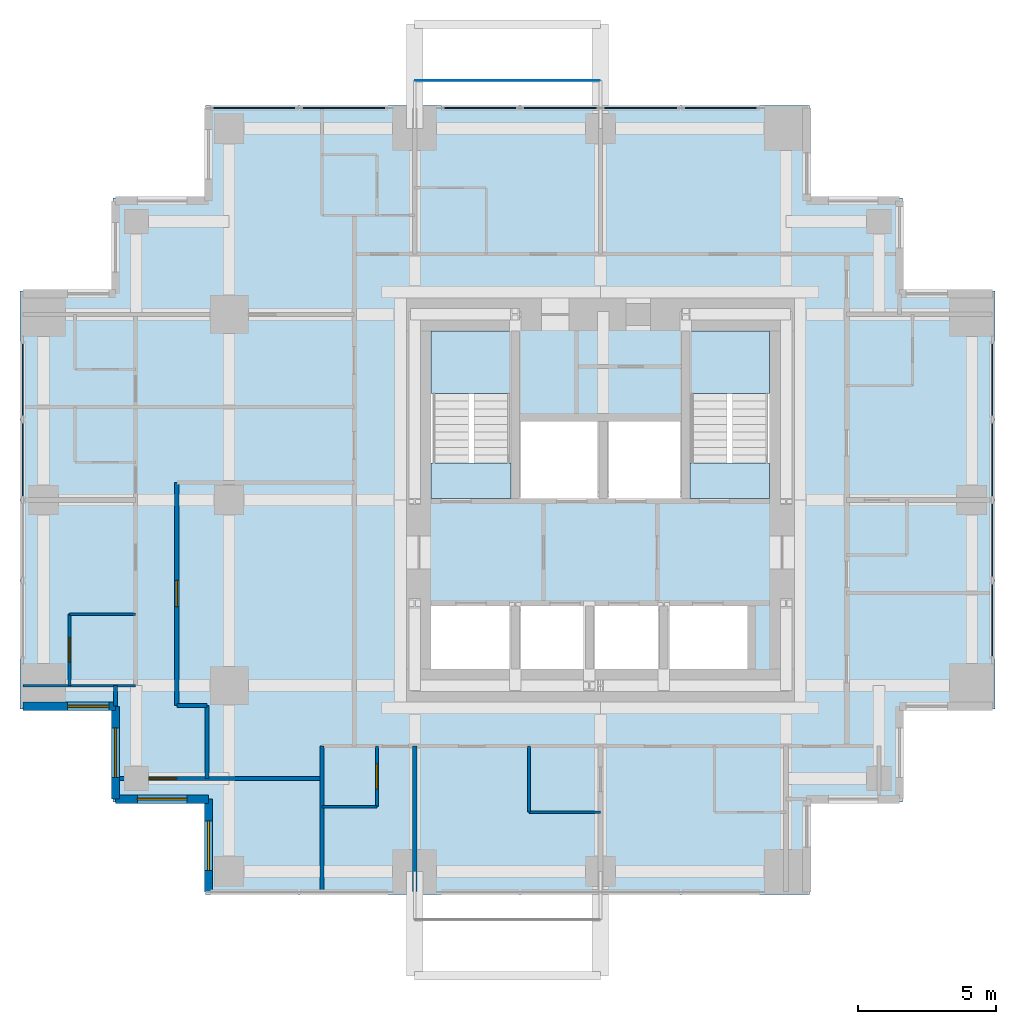
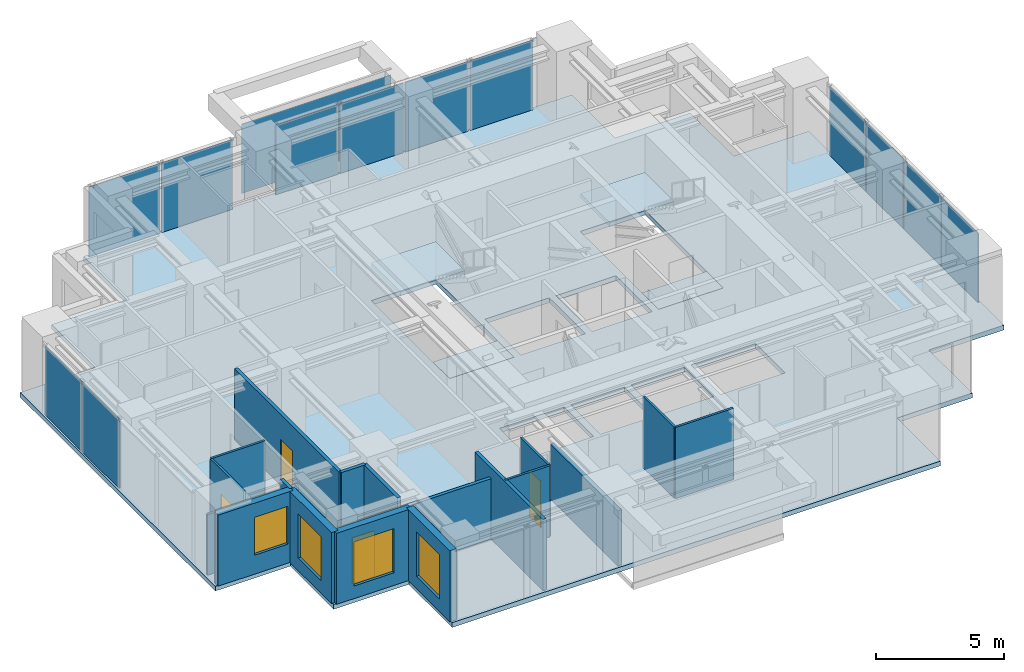
# One storey, part 3 of 8: 18 walls, 13 plates, 5 slabs, 4 doors, 4 windows, 8 openings, 6 elements without a shape of their own.
"""IFC4 building model written with IfcOpenShell, lengths in metres."""

from ifc_helpers import new_model, si_unit, direction, frame, frame_2d, origin, origin_2d, place, context, subcontext, project, spatial, polyline, rectangle, outline, extrude, material, layer, layer_set, type_object, element, fill, aggregate, save


model = new_model("IFC4")

# Units and contexts
model_context = context("Model", 3, precision=1e-05, world=origin(), true_north=direction((0.0, 1.0)))
body_context = subcontext(model_context, "Body", "Model", "MODEL_VIEW")
ifc_project = project(units=[si_unit("LENGTHUNIT", "METRE"), si_unit("AREAUNIT", "SQUARE_METRE"), si_unit("VOLUMEUNIT", "CUBIC_METRE"), si_unit("PLANEANGLEUNIT", "RADIAN"), si_unit("MASSUNIT", "GRAM", prefix="KILO")], contexts=[model_context])

# Site, building, storey
site_placement = place(None, origin())
site = spatial("IfcSite", under=ifc_project, at=site_placement, CompositionType="ELEMENT")
building_placement = place(site_placement, origin())
building = spatial("IfcBuilding", under=site, at=building_placement, Name="Nyansa Garden Tower", CompositionType="ELEMENT")
storey_placement = place(building_placement, frame((0.0, 0.0, 207.89990234375)))
storey = spatial("IfcBuildingStorey", under=building, at=storey_placement, Name="L56", CompositionType="ELEMENT", Elevation=207.89990234375)

# Curtain wall, plates
ifc_material_1 = material(Name="Black anodised aluminium, dark tinted double glazing", Category="aluminium")
curtain_wall_type = type_object("IfcCurtainWallType", Name="Inner skin curtain wall ISW-D", PredefinedType="USERDEFINED", material=ifc_material_1)
curtain_wall_1_placement = place(storey_placement, origin())
curtain_wall_1 = element("IfcCurtainWall", 1, at=curtain_wall_1_placement, inside=storey, type_object=curtain_wall_type, Name="Inner skin curtain wall L56 E", ObjectType="UNITISED CURTAIN WALL", PredefinedType="USERDEFINED")
ifc_material_2 = material(Name="Dark tinted laminated double glazing", Category="glass")
ifc_layer_1 = layer(ifc_material_2, 0.0439453125)
ifc_layer_set_1 = layer_set([ifc_layer_1], Name="Dark tinted vision panel VP-D")
plate_type_1 = type_object("IfcPlateType", Name="Dark tinted vision panel VP-D", PredefinedType="CURTAIN_PANEL", material=ifc_layer_set_1)
plate_1_placement = place(storey_placement, frame((34.5, 15.8818359375, 0.0), z_axis=(0.0, 0.0, 1.0), x_axis=(0.0, 1.0, 0.0)))
plate_1 = element("IfcPlate", 2, at=plate_1_placement, type_object=plate_type_1, Name="ISW-D panel 1", PredefinedType="CURTAIN_PANEL", context=body_context, shape_type="SweptSolid", body=[
    extrude(rectangle(XDim=2.81884765625, YDim=0.0439453125, at=origin_2d()), origin(), (0.0, 0.0, 1.0), 3.304931640625),
])
plate_2_placement = place(storey_placement, frame((34.5, 18.7880859375, 0.0), z_axis=(0.0, 0.0, 1.0), x_axis=(0.0, 1.0, 0.0)))
plate_2 = element("IfcPlate", 3, at=plate_2_placement, type_object=plate_type_1, Name="ISW-D panel 2", PredefinedType="CURTAIN_PANEL", context=body_context, shape_type="SweptSolid", body=[
    extrude(rectangle(XDim=2.853759765625, YDim=0.0439453125, at=origin_2d()), origin(), (0.0, 0.0, 1.0), 3.304931640625),
])
plate_3_placement = place(storey_placement, frame((34.5, 21.7119140625, 0.0), z_axis=(0.0, 0.0, 1.0), x_axis=(0.0, 1.0, 0.0)))
plate_3 = element("IfcPlate", 4, at=plate_3_placement, type_object=plate_type_1, Name="ISW-D panel 3", PredefinedType="CURTAIN_PANEL", context=body_context, shape_type="SweptSolid", body=[
    extrude(rectangle(XDim=2.853759765625, YDim=0.0439453125, at=origin_2d()), origin(), (0.0, 0.0, 1.0), 3.304931640625),
])
plate_4_placement = place(storey_placement, frame((34.5, 24.6181640625, 0.0), z_axis=(0.0, 0.0, 1.0), x_axis=(0.0, 1.0, 0.0)))
plate_4 = element("IfcPlate", 5, at=plate_4_placement, type_object=plate_type_1, Name="ISW-D panel 4", PredefinedType="CURTAIN_PANEL", context=body_context, shape_type="SweptSolid", body=[
    extrude(rectangle(XDim=2.81884765625, YDim=0.0439453125, at=origin_2d()), origin(), (0.0, 0.0, 1.0), 3.304931640625),
])
aggregate(curtain_wall_1, [plate_1, plate_2, plate_3, plate_4])

curtain_wall_2_placement = place(storey_placement, origin())
curtain_wall_2 = element("IfcCurtainWall", 6, at=curtain_wall_2_placement, inside=storey, type_object=curtain_wall_type, Name="Inner skin curtain wall L56 N", ObjectType="UNITISED CURTAIN WALL", PredefinedType="USERDEFINED")
plate_5_placement = place(storey_placement, frame((24.6181640625, 34.5, 0.0), z_axis=(0.0, 0.0, 1.0), x_axis=(-1.0, 0.0, 0.0)))
plate_5 = element("IfcPlate", 7, at=plate_5_placement, type_object=plate_type_1, Name="ISW-D panel 1", PredefinedType="CURTAIN_PANEL", context=body_context, shape_type="SweptSolid", body=[
    extrude(rectangle(XDim=2.81884765625, YDim=0.0439453125, at=origin_2d()), origin(), (0.0, 0.0, 1.0), 3.304931640625),
])
plate_6_placement = place(storey_placement, frame((21.7119140625, 34.5, 0.0), z_axis=(0.0, 0.0, 1.0), x_axis=(-1.0, 0.0, 0.0)))
plate_6 = element("IfcPlate", 8, at=plate_6_placement, type_object=plate_type_1, Name="ISW-D panel 2", PredefinedType="CURTAIN_PANEL", context=body_context, shape_type="SweptSolid", body=[
    extrude(rectangle(XDim=2.853759765625, YDim=0.0439453125, at=origin_2d()), origin(), (0.0, 0.0, 1.0), 3.304931640625),
])
plate_7_placement = place(storey_placement, frame((18.7880859375, 34.5, 0.0), z_axis=(0.0, 0.0, 1.0), x_axis=(-1.0, 0.0, 0.0)))
plate_7 = element("IfcPlate", 9, at=plate_7_placement, type_object=plate_type_1, Name="ISW-D panel 3", PredefinedType="CURTAIN_PANEL", context=body_context, shape_type="SweptSolid", body=[
    extrude(rectangle(XDim=2.853759765625, YDim=0.0439453125, at=origin_2d()), origin(), (0.0, 0.0, 1.0), 3.304931640625),
])
plate_8_placement = place(storey_placement, frame((15.8818359375, 34.5, 0.0), z_axis=(0.0, 0.0, 1.0), x_axis=(-1.0, 0.0, 0.0)))
plate_8 = element("IfcPlate", 10, at=plate_8_placement, type_object=plate_type_1, Name="ISW-D panel 4", PredefinedType="CURTAIN_PANEL", context=body_context, shape_type="SweptSolid", body=[
    extrude(rectangle(XDim=2.81884765625, YDim=0.0439453125, at=origin_2d()), origin(), (0.0, 0.0, 1.0), 3.304931640625),
])
aggregate(curtain_wall_2, [plate_5, plate_6, plate_7, plate_8])

curtain_wall_3_placement = place(storey_placement, origin())
curtain_wall_3 = element("IfcCurtainWall", 11, at=curtain_wall_3_placement, inside=storey, type_object=curtain_wall_type, Name="Inner skin curtain wall L56 N", ObjectType="UNITISED CURTAIN WALL", PredefinedType="USERDEFINED")
plate_9_placement = place(storey_placement, frame((10.9306640625, 34.5, 0.0), z_axis=(0.0, 0.0, 1.0), x_axis=(-1.0, 0.0, 0.0)))
plate_9 = element("IfcPlate", 12, at=plate_9_placement, type_object=plate_type_1, Name="ISW-D panel 1", PredefinedType="CURTAIN_PANEL", context=body_context, shape_type="SweptSolid", body=[
    extrude(rectangle(XDim=3.19384765625, YDim=0.0439453125, at=origin_2d()), origin(), (0.0, 0.0, 1.0), 3.304931640625),
])
plate_10_placement = place(storey_placement, frame((7.6669921875, 34.5, 0.0), z_axis=(0.0, 0.0, 1.0), x_axis=(-1.0, 0.0, 0.0)))
plate_10 = element("IfcPlate", 13, at=plate_10_placement, type_object=plate_type_1, Name="ISW-D panel 2", PredefinedType="CURTAIN_PANEL", context=body_context, shape_type="SweptSolid", body=[
    extrude(rectangle(XDim=3.19384765625, YDim=0.0439453125, at=origin_2d()), origin(), (0.0, 0.0, 1.0), 3.304931640625),
])
aggregate(curtain_wall_3, [plate_9, plate_10])

curtain_wall_4_placement = place(storey_placement, origin())
curtain_wall_4 = element("IfcCurtainWall", 14, at=curtain_wall_4_placement, inside=storey, type_object=curtain_wall_type, Name="Inner skin curtain wall L56 W", ObjectType="UNITISED CURTAIN WALL", PredefinedType="USERDEFINED")
plate_11_placement = place(storey_placement, frame((-0.75, 24.6181640625, 0.0), z_axis=(0.0, 0.0, 1.0), x_axis=(0.0, -1.0, 0.0)))
plate_11 = element("IfcPlate", 15, at=plate_11_placement, type_object=plate_type_1, Name="ISW-D panel 1", PredefinedType="CURTAIN_PANEL", context=body_context, shape_type="SweptSolid", body=[
    extrude(rectangle(XDim=2.81884765625, YDim=0.0439453125, at=origin_2d()), origin(), (0.0, 0.0, 1.0), 3.304931640625),
])
plate_12_placement = place(storey_placement, frame((-0.75, 21.7119140625, 0.0), z_axis=(0.0, 0.0, 1.0), x_axis=(0.0, -1.0, 0.0)))
plate_12 = element("IfcPlate", 16, at=plate_12_placement, type_object=plate_type_1, Name="ISW-D panel 2", PredefinedType="CURTAIN_PANEL", context=body_context, shape_type="SweptSolid", body=[
    extrude(rectangle(XDim=2.853759765625, YDim=0.0439453125, at=origin_2d()), origin(), (0.0, 0.0, 1.0), 3.304931640625),
])
aggregate(curtain_wall_4, [plate_11, plate_12])

# Slab
ifc_material_3 = material(Name="Concrete C40/50", Category="concrete")
ifc_layer_2 = layer(ifc_material_3, 0.22509765625)
ifc_layer_set_2 = layer_set([ifc_layer_2], Name="Floor slab FS225")
slab_type_1 = type_object("IfcSlabType", Name="Floor slab FS225", PredefinedType="FLOOR", material=ifc_layer_set_2)
slab_1_placement = place(storey_placement, frame((0.0, 0.0, -0.224853515625)))
element("IfcSlab", 17, at=slab_1_placement, inside=storey, type_object=slab_type_1, Name="Floor slab L56", PredefinedType="FLOOR", context=body_context, shape_type="SweptSolid", body=[
    extrude(outline(polyline([(34.60009765625, 12.64990234375), (31.22509765625, 12.64990234375), (31.22509765625, 9.27490234375), (27.85009765625, 9.27490234375), (27.85009765625, 5.89990234375), (5.89990234375, 5.89990234375), (5.89990234375, 9.27490234375), (2.52490234375, 9.27490234375), (2.52490234375, 12.64990234375), (-0.85009765625, 12.64990234375), (-0.85009765625, 27.85009765625), (2.52490234375, 27.85009765625), (2.52490234375, 31.22509765625), (5.89990234375, 31.22509765625), (5.89990234375, 34.60009765625), (27.85009765625, 34.60009765625), (27.85009765625, 31.22509765625), (31.22509765625, 31.22509765625), (31.22509765625, 27.85009765625), (34.60009765625, 27.85009765625), (34.60009765625, 12.64990234375)]), holes=[polyline([(14.10009765625, 14.10009765625), (17.0, 14.10009765625), (17.0, 16.39990234375), (14.10009765625, 16.39990234375), (14.10009765625, 14.10009765625)]), polyline([(17.300048828125, 14.10009765625), (19.699951171875, 14.10009765625), (19.699951171875, 16.39990234375), (17.300048828125, 16.39990234375), (17.300048828125, 14.10009765625)]), polyline([(20.0, 14.10009765625), (22.39990234375, 14.10009765625), (22.39990234375, 16.39990234375), (20.0, 16.39990234375), (20.0, 14.10009765625)]), polyline([(22.699951171875, 14.10009765625), (25.60009765625, 14.10009765625), (25.60009765625, 16.39990234375), (22.699951171875, 16.39990234375), (22.699951171875, 14.10009765625)]), polyline([(17.300048828125, 20.300048828125), (20.199951171875, 20.300048828125), (20.199951171875, 23.10009765625), (17.300048828125, 23.10009765625), (17.300048828125, 20.300048828125)]), polyline([(20.5, 20.300048828125), (23.199951171875, 20.300048828125), (23.199951171875, 23.10009765625), (20.5, 23.10009765625), (20.5, 20.300048828125)]), polyline([(14.10009765625, 20.300048828125), (17.0, 20.300048828125), (17.0, 26.39990234375), (14.10009765625, 26.39990234375), (14.10009765625, 20.300048828125)]), polyline([(23.5, 20.300048828125), (26.39990234375, 20.300048828125), (26.39990234375, 26.39990234375), (23.5, 26.39990234375), (23.5, 20.300048828125)])]), origin(), (0.0, 0.0, 1.0), 0.224853515625),
])

# Plate
ifc_material_4 = material(Name="Dark tinted laminated glass", Category="glass")
ifc_layer_3 = layer(ifc_material_4, 0.02392578125)
ifc_layer_set_3 = layer_set([ifc_layer_3], Name="Outer skin glass panel OS1")
plate_type_2 = type_object("IfcPlateType", Name="Outer skin glass panel OS1", PredefinedType="USERDEFINED", material=ifc_layer_set_3)
plate_13_placement = place(storey_placement, frame((16.875, 35.5, -0.22509765625), z_axis=(0.0, 0.0, 1.0), x_axis=(1.0, 0.0, 0.0)))
element("IfcPlate", 18, at=plate_13_placement, inside=storey, type_object=plate_type_2, Name="Outer skin glass panel L56", ObjectType="OUTER SKIN GLASS", PredefinedType="USERDEFINED", context=body_context, shape_type="SweptSolid", body=[
    extrude(rectangle(XDim=6.7099609375, YDim=0.02392578125, at=origin_2d()), origin(), (0.0, 0.0, 1.0), 3.300048828125),
])

# Stair, slabs
ifc_material_5 = material(Name="Precast concrete C40/50", Category="concrete")
stair_type_1 = type_object("IfcStairType", Name="Stair S1 180x280", PredefinedType="HALF_TURN_STAIR", material=ifc_material_5)
stair_1_placement = place(storey_placement, origin())
stair_1 = element("IfcStair", 19, at=stair_1_placement, inside=storey, type_object=stair_type_1, Name="Stair S1 L56", PredefinedType="HALF_TURN_STAIR")
ifc_material_6 = material(Name="Concrete C40/50", Category="concrete")
ifc_layer_4 = layer(ifc_material_6, 0.199951171875)
ifc_layer_set_4 = layer_set([ifc_layer_4], Name="Stair landing SL200")
slab_type_2 = type_object("IfcSlabType", Name="Stair landing SL200", PredefinedType="LANDING", material=ifc_layer_set_4)
slab_2_placement = place(storey_placement, frame((0.0, 0.0, -0.199951171875)))
slab_2 = element("IfcSlab", 20, at=slab_2_placement, type_object=slab_type_2, Name="S1 landing 1", PredefinedType="LANDING", context=body_context, shape_type="SweptSolid", body=[
    extrude(outline(polyline([(14.10009765625, 20.300048828125), (17.0, 20.300048828125), (17.0, 21.60009765625), (14.10009765625, 21.60009765625), (14.10009765625, 20.300048828125)])), origin(), (0.0, 0.0, 1.0), 0.199951171875),
])
slab_3_placement = place(storey_placement, frame((0.0, 0.0, 1.60009765625)))
slab_3 = element("IfcSlab", 21, at=slab_3_placement, type_object=slab_type_2, Name="S1 landing 2", PredefinedType="LANDING", context=body_context, shape_type="SweptSolid", body=[
    extrude(outline(polyline([(14.10009765625, 24.1201171875), (17.0, 24.1201171875), (17.0, 26.39990234375), (14.10009765625, 26.39990234375), (14.10009765625, 24.1201171875)])), origin(), (0.0, 0.0, 1.0), 0.199951171875),
])
aggregate(stair_1, [slab_2, slab_3])

ifc_material_7 = material(Name="Precast concrete C40/50", Category="concrete")
stair_type_2 = type_object("IfcStairType", Name="Stair S2 180x280", PredefinedType="HALF_TURN_STAIR", material=ifc_material_7)
stair_2_placement = place(storey_placement, origin())
stair_2 = element("IfcStair", 22, at=stair_2_placement, inside=storey, type_object=stair_type_2, Name="Stair S2 L56", PredefinedType="HALF_TURN_STAIR")
slab_4_placement = place(storey_placement, frame((0.0, 0.0, -0.199951171875)))
slab_4 = element("IfcSlab", 23, at=slab_4_placement, type_object=slab_type_2, Name="S2 landing 1", PredefinedType="LANDING", context=body_context, shape_type="SweptSolid", body=[
    extrude(outline(polyline([(23.5, 20.300048828125), (26.39990234375, 20.300048828125), (26.39990234375, 21.60009765625), (23.5, 21.60009765625), (23.5, 20.300048828125)])), origin(), (0.0, 0.0, 1.0), 0.199951171875),
])
slab_5_placement = place(storey_placement, frame((0.0, 0.0, 1.60009765625)))
slab_5 = element("IfcSlab", 24, at=slab_5_placement, type_object=slab_type_2, Name="S2 landing 2", PredefinedType="LANDING", context=body_context, shape_type="SweptSolid", body=[
    extrude(outline(polyline([(23.5, 24.1201171875), (26.39990234375, 24.1201171875), (26.39990234375, 26.39990234375), (23.5, 26.39990234375), (23.5, 24.1201171875)])), origin(), (0.0, 0.0, 1.0), 0.199951171875),
])
aggregate(stair_2, [slab_4, slab_5])

# Walls
ifc_material_8 = material(Name="Dense blockwork, plastered both sides, 55 dB", Category="masonry")
ifc_layer_5 = layer(ifc_material_8, 0.175048828125)
ifc_layer_set_5 = layer_set([ifc_layer_5], Name="Acoustic party wall PW175")
wall_type_1 = type_object("IfcWallType", Name="Acoustic party wall PW175", PredefinedType="PARTITIONING", material=ifc_layer_set_5)
wall_1_placement = place(storey_placement, frame((13.5, 6.01611328125, 0.0), z_axis=(0.0, 0.0, 1.0), x_axis=(0.0, 1.0, 0.0)))
element("IfcWall", 25, at=wall_1_placement, inside=storey, type_object=wall_type_1, Name="Party wall", PredefinedType="PARTITIONING", context=body_context, shape_type="SweptSolid", body=[
    extrude(rectangle(XDim=5.283935546875, YDim=0.175048828125, at=frame_2d((2.64208984375, 0.0))), origin(), (0.0, 0.0, 1.0), 2.610107421875),
])
ifc_material_9 = material(Name="Blockwork, plastered both sides", Category="masonry")
ifc_layer_6 = layer(ifc_material_9, 0.14990234375)
ifc_layer_set_6 = layer_set([ifc_layer_6], Name="Partition PW150")
wall_type_2 = type_object("IfcWallType", Name="Partition PW150", PredefinedType="PARTITIONING", material=ifc_layer_set_6)
wall_2_placement = place(storey_placement, frame((2.625, 12.76611328125, 0.0), z_axis=(0.0, 0.0, 1.0), x_axis=(0.0, 1.0, 0.0)))
element("IfcWall", 26, at=wall_2_placement, inside=storey, type_object=wall_type_2, Name="Partition", PredefinedType="PARTITIONING", context=body_context, shape_type="SweptSolid", body=[
    extrude(rectangle(XDim=0.73388671875, YDim=0.14990234375, at=frame_2d((0.366943359375, 0.0))), origin(), (0.0, 0.0, 1.0), 3.375),
])

# Wall, opening, door
wall_3_placement = place(storey_placement, frame((2.77490234375, 10.125, 0.0), z_axis=(0.0, 0.0, 1.0), x_axis=(1.0, 0.0, 0.0)))
wall_3 = element("IfcWall", 27, at=wall_3_placement, inside=storey, type_object=wall_type_2, Name="Partition", PredefinedType="PARTITIONING", context=body_context, shape_type="SweptSolid", body=[
    extrude(rectangle(XDim=7.35009765625, YDim=0.14990234375, at=frame_2d((3.675048828125, 0.0))), origin(), (0.0, 0.0, 1.0), 2.877197265625),
])
opening_1_placement = place(wall_3_placement, frame((1.06591796875, 0.0, 0.0)))
opening_1 = element("IfcOpeningElement", 28, at=opening_1_placement, cuts=wall_3, Name="Opening D03", PredefinedType="OPENING", context=body_context, shape_type="SweptSolid", body=[
    extrude(rectangle(XDim=1.0, YDim=2.199951171875, at=frame_2d((0.5, 1.10009765625))), frame((0.0, 0.0849609375, 0.0), z_axis=(0.0, -1.0, 0.0), x_axis=(1.0, 0.0, 0.0)), (0.0, 0.0, 1.0), 0.169921875),
])
ifc_material_10 = material(Name="Timber flush door, 60 minute fire resisting", Category="wood")
door_type_1 = type_object("IfcDoorType", Name="Cluster entrance door D03 1000x2200", OperationType="SINGLE_SWING_LEFT", PredefinedType="DOOR", material=ifc_material_10)
door_1_placement = place(opening_1_placement, origin())
door_1 = element("IfcDoor", 29, at=door_1_placement, inside=storey, type_object=door_type_1, Name="Door L56-018", OperationType="SINGLE_SWING_LEFT", OverallHeight=2.199951171875, OverallWidth=1.0, PredefinedType="DOOR", context=body_context, shape_type="SweptSolid", body=[
    extrude(rectangle(XDim=1.0, YDim=2.199951171875, at=frame_2d((0.5, 1.10009765625))), frame((0.0, 0.02490234375, 0.0), z_axis=(0.0, -1.0, 0.0), x_axis=(1.0, 0.0, 0.0)), (0.0, 0.0, 1.0), 0.050048828125),
])
fill(opening_1, door_1)

wall_4_placement = place(storey_placement, frame((4.85009765625, 12.77490234375, 0.0), z_axis=(0.0, 0.0, 1.0), x_axis=(0.0, 1.0, 0.0)))
wall_4 = element("IfcWall", 30, at=wall_4_placement, inside=storey, type_object=wall_type_2, Name="Partition", PredefinedType="PARTITIONING", context=body_context, shape_type="SweptSolid", body=[
    extrude(rectangle(XDim=8.112548828125, YDim=0.14990234375, at=frame_2d((4.05615234375, 0.0))), origin(), (0.0, 0.0, 1.0), 3.375),
])
opening_2_placement = place(wall_4_placement, frame((3.60009765625, 0.0, 0.0)))
opening_2 = element("IfcOpeningElement", 31, at=opening_2_placement, cuts=wall_4, Name="Opening D01", PredefinedType="OPENING", context=body_context, shape_type="SweptSolid", body=[
    extrude(rectangle(XDim=0.949951171875, YDim=2.199951171875, at=frame_2d((0.47509765625, 1.10009765625))), frame((0.0, 0.0849609375, 0.0), z_axis=(0.0, -1.0, 0.0), x_axis=(1.0, 0.0, 0.0)), (0.0, 0.0, 1.0), 0.169921875),
])
ifc_material_11 = material(Name="Timber flush door, 30 minute fire resisting", Category="wood")
door_type_2 = type_object("IfcDoorType", Name="Bedroom door D01 950x2200", OperationType="SINGLE_SWING_LEFT", PredefinedType="DOOR", material=ifc_material_11)
door_2_placement = place(opening_2_placement, origin())
door_2 = element("IfcDoor", 32, at=door_2_placement, inside=storey, type_object=door_type_2, Name="Door L56-047", OperationType="SINGLE_SWING_LEFT", OverallHeight=2.199951171875, OverallWidth=0.949951171875, PredefinedType="DOOR", context=body_context, shape_type="SweptSolid", body=[
    extrude(rectangle(XDim=0.949951171875, YDim=2.199951171875, at=frame_2d((0.47509765625, 1.10009765625))), frame((0.0, 0.02490234375, 0.0), z_axis=(0.0, -1.0, 0.0), x_axis=(1.0, 0.0, 0.0)), (0.0, 0.0, 1.0), 0.050048828125),
])
fill(opening_2, door_2)

# Walls
wall_5_placement = place(storey_placement, frame((4.85009765625, 12.77490234375, 0.0), z_axis=(0.0, 0.0, 1.0), x_axis=(1.0, 0.0, 0.0)))
element("IfcWall", 33, at=wall_5_placement, inside=storey, type_object=wall_type_2, Name="Partition", PredefinedType="PARTITIONING", context=body_context, shape_type="SweptSolid", body=[
    extrude(rectangle(XDim=1.099853515625, YDim=0.14990234375, at=frame_2d((0.5498046875, 0.0))), origin(), (0.0, 0.0, 1.0), 3.375),
])
wall_6_placement = place(storey_placement, frame((5.949951171875, 10.125, 0.0), z_axis=(0.0, 0.0, 1.0), x_axis=(0.0, 1.0, 0.0)))
element("IfcWall", 34, at=wall_6_placement, inside=storey, type_object=wall_type_2, Name="Partition", PredefinedType="PARTITIONING", context=body_context, shape_type="SweptSolid", body=[
    extrude(rectangle(XDim=2.64990234375, YDim=0.14990234375, at=frame_2d((1.324951171875, 0.0))), origin(), (0.0, 0.0, 1.0), 3.375),
])
wall_7_placement = place(storey_placement, frame((10.125, 6.01611328125, 0.0), z_axis=(0.0, 0.0, 1.0), x_axis=(0.0, 1.0, 0.0)))
element("IfcWall", 35, at=wall_7_placement, inside=storey, type_object=wall_type_2, Name="Partition", PredefinedType="PARTITIONING", context=body_context, shape_type="SweptSolid", body=[
    extrude(rectangle(XDim=5.283935546875, YDim=0.14990234375, at=frame_2d((2.64208984375, 0.0))), origin(), (0.0, 0.0, 1.0), 3.375),
])

# Wall, opening, window
ifc_material_12 = material(Name="Turquoise glazed tile on concrete blockwork", Category="masonry")
ifc_layer_7 = layer(ifc_material_12, 0.300048828125)
ifc_layer_set_7 = layer_set([ifc_layer_7], Name="Tiled corner wall TW300")
wall_type_3 = type_object("IfcWallType", Name="Tiled corner wall TW300", PredefinedType="SOLIDWALL", material=ifc_layer_set_7)
wall_8_placement = place(storey_placement, frame((-0.75, 12.75, 0.0), z_axis=(0.0, 0.0, 1.0), x_axis=(1.0, 0.0, 0.0)))
wall_8 = element("IfcWall", 36, at=wall_8_placement, inside=storey, type_object=wall_type_3, Name="Tiled corner wall L56", PredefinedType="SOLIDWALL", context=body_context, shape_type="SweptSolid", body=[
    extrude(rectangle(XDim=3.375, YDim=0.300048828125, at=frame_2d((1.6875, 0.0))), origin(), (0.0, 0.0, 1.0), 3.375),
])
opening_3_placement = place(wall_8_placement, frame((1.632568359375, 0.0, 0.89990234375)))
opening_3 = element("IfcOpeningElement", 37, at=opening_3_placement, cuts=wall_8, Name="Opening W1", PredefinedType="OPENING", context=body_context, shape_type="SweptSolid", body=[
    extrude(rectangle(XDim=1.5, YDim=1.800048828125, at=frame_2d((0.75, 0.89990234375))), frame((0.0, 0.159912109375, 0.0), z_axis=(0.0, -1.0, 0.0), x_axis=(1.0, 0.0, 0.0)), (0.0, 0.0, 1.0), 0.320068359375),
])
ifc_material_13 = material(Name="Black aluminium frame, dark tinted double glazing", Category="aluminium")
window_type_1 = type_object("IfcWindowType", Name="Window W1 1500x1800", PartitioningType="SINGLE_PANEL", PredefinedType="WINDOW", material=ifc_material_13)
window_1_placement = place(opening_3_placement, origin())
window_1 = element("IfcWindow", 38, at=window_1_placement, inside=storey, type_object=window_type_1, Name="Corner window L56", OverallHeight=1.800048828125, OverallWidth=1.5, PartitioningType="SINGLE_PANEL", PredefinedType="WINDOW", context=body_context, shape_type="SweptSolid", body=[
    extrude(rectangle(XDim=1.5, YDim=1.800048828125, at=frame_2d((0.75, 0.89990234375))), frame((0.0, 0.030029296875, 0.0), z_axis=(0.0, -1.0, 0.0), x_axis=(1.0, 0.0, 0.0)), (0.0, 0.0, 1.0), 0.06005859375),
])
fill(opening_3, window_1)

wall_9_placement = place(storey_placement, frame((2.625, 12.75, 0.0), z_axis=(0.0, 0.0, 1.0), x_axis=(0.0, -1.0, 0.0)))
wall_9 = element("IfcWall", 39, at=wall_9_placement, inside=storey, type_object=wall_type_3, Name="Tiled corner wall L56", PredefinedType="SOLIDWALL", context=body_context, shape_type="SweptSolid", body=[
    extrude(rectangle(XDim=3.375, YDim=0.300048828125, at=frame_2d((1.6875, 0.0))), origin(), (0.0, 0.0, 1.0), 3.375),
])
opening_4_placement = place(wall_9_placement, frame((0.78759765625, 0.0, 0.60009765625)))
opening_4 = element("IfcOpeningElement", 40, at=opening_4_placement, cuts=wall_9, Name="Opening W2", PredefinedType="OPENING", context=body_context, shape_type="SweptSolid", body=[
    extrude(rectangle(XDim=1.800048828125, YDim=2.10009765625, at=frame_2d((0.89990234375, 1.050048828125))), frame((0.0, 0.159912109375, 0.0), z_axis=(0.0, -1.0, 0.0), x_axis=(1.0, 0.0, 0.0)), (0.0, 0.0, 1.0), 0.320068359375),
])
ifc_material_14 = material(Name="Black aluminium frame, dark tinted double glazing", Category="aluminium")
window_type_2 = type_object("IfcWindowType", Name="Window W2 1800x2100", PartitioningType="SINGLE_PANEL", PredefinedType="WINDOW", material=ifc_material_14)
window_2_placement = place(opening_4_placement, origin())
window_2 = element("IfcWindow", 41, at=window_2_placement, inside=storey, type_object=window_type_2, Name="Corner window L56", OverallHeight=2.10009765625, OverallWidth=1.800048828125, PartitioningType="SINGLE_PANEL", PredefinedType="WINDOW", context=body_context, shape_type="SweptSolid", body=[
    extrude(rectangle(XDim=1.800048828125, YDim=2.10009765625, at=frame_2d((0.89990234375, 1.050048828125))), frame((0.0, 0.030029296875, 0.0), z_axis=(0.0, -1.0, 0.0), x_axis=(1.0, 0.0, 0.0)), (0.0, 0.0, 1.0), 0.06005859375),
])
fill(opening_4, window_2)

wall_10_placement = place(storey_placement, frame((2.625, 9.375, 0.0), z_axis=(0.0, 0.0, 1.0), x_axis=(1.0, 0.0, 0.0)))
wall_10 = element("IfcWall", 42, at=wall_10_placement, inside=storey, type_object=wall_type_3, Name="Tiled corner wall L56", PredefinedType="SOLIDWALL", context=body_context, shape_type="SweptSolid", body=[
    extrude(rectangle(XDim=3.375, YDim=0.300048828125, at=frame_2d((1.6875, 0.0))), origin(), (0.0, 0.0, 1.0), 3.375),
])
opening_5_placement = place(wall_10_placement, frame((0.78759765625, 0.0, 0.60009765625)))
opening_5 = element("IfcOpeningElement", 43, at=opening_5_placement, cuts=wall_10, Name="Opening W2", PredefinedType="OPENING", context=body_context, shape_type="SweptSolid", body=[
    extrude(rectangle(XDim=1.800048828125, YDim=2.10009765625, at=frame_2d((0.89990234375, 1.050048828125))), frame((0.0, 0.159912109375, 0.0), z_axis=(0.0, -1.0, 0.0), x_axis=(1.0, 0.0, 0.0)), (0.0, 0.0, 1.0), 0.320068359375),
])
window_3_placement = place(opening_5_placement, origin())
window_3 = element("IfcWindow", 44, at=window_3_placement, inside=storey, type_object=window_type_2, Name="Corner window L56", OverallHeight=2.10009765625, OverallWidth=1.800048828125, PartitioningType="SINGLE_PANEL", PredefinedType="WINDOW", context=body_context, shape_type="SweptSolid", body=[
    extrude(rectangle(XDim=1.800048828125, YDim=2.10009765625, at=frame_2d((0.89990234375, 1.050048828125))), frame((0.0, 0.030029296875, 0.0), z_axis=(0.0, -1.0, 0.0), x_axis=(1.0, 0.0, 0.0)), (0.0, 0.0, 1.0), 0.06005859375),
])
fill(opening_5, window_3)

wall_11_placement = place(storey_placement, frame((6.0, 9.375, 0.0), z_axis=(0.0, 0.0, 1.0), x_axis=(0.0, -1.0, 0.0)))
wall_11 = element("IfcWall", 45, at=wall_11_placement, inside=storey, type_object=wall_type_3, Name="Tiled corner wall L56", PredefinedType="SOLIDWALL", context=body_context, shape_type="SweptSolid", body=[
    extrude(rectangle(XDim=3.375, YDim=0.300048828125, at=frame_2d((1.6875, 0.0))), origin(), (0.0, 0.0, 1.0), 3.375),
])
opening_6_placement = place(wall_11_placement, frame((0.78759765625, 0.0, 0.60009765625)))
opening_6 = element("IfcOpeningElement", 46, at=opening_6_placement, cuts=wall_11, Name="Opening W2", PredefinedType="OPENING", context=body_context, shape_type="SweptSolid", body=[
    extrude(rectangle(XDim=1.800048828125, YDim=2.10009765625, at=frame_2d((0.89990234375, 1.050048828125))), frame((0.0, 0.159912109375, 0.0), z_axis=(0.0, -1.0, 0.0), x_axis=(1.0, 0.0, 0.0)), (0.0, 0.0, 1.0), 0.320068359375),
])
window_4_placement = place(opening_6_placement, origin())
window_4 = element("IfcWindow", 47, at=window_4_placement, inside=storey, type_object=window_type_2, Name="Corner window L56", OverallHeight=2.10009765625, OverallWidth=1.800048828125, PartitioningType="SINGLE_PANEL", PredefinedType="WINDOW", context=body_context, shape_type="SweptSolid", body=[
    extrude(rectangle(XDim=1.800048828125, YDim=2.10009765625, at=frame_2d((0.89990234375, 1.050048828125))), frame((0.0, 0.030029296875, 0.0), z_axis=(0.0, -1.0, 0.0), x_axis=(1.0, 0.0, 0.0)), (0.0, 0.0, 1.0), 0.06005859375),
])
fill(opening_6, window_4)

# Wall
ifc_material_15 = material(Name="Moisture resistant board on steel studs, tiled", Category="steel")
ifc_layer_8 = layer(ifc_material_15, 0.10009765625)
ifc_layer_set_8 = layer_set([ifc_layer_8], Name="Wet wall PW100")
wall_type_4 = type_object("IfcWallType", Name="Wet wall PW100", PredefinedType="PARTITIONING", material=ifc_layer_set_8)
wall_12_placement = place(storey_placement, frame((-0.73388671875, 13.5, 0.0), z_axis=(0.0, 0.0, 1.0), x_axis=(1.0, 0.0, 0.0)))
element("IfcWall", 48, at=wall_12_placement, inside=storey, type_object=wall_type_4, Name="Wet wall", PredefinedType="PARTITIONING", context=body_context, shape_type="SweptSolid", body=[
    extrude(rectangle(XDim=4.083984375, YDim=0.10009765625, at=frame_2d((2.0419921875, 0.0))), origin(), (0.0, 0.0, 1.0), 2.877197265625),
])

# Wall, opening, door
wall_13_placement = place(storey_placement, frame((0.949951171875, 13.5, 0.0), z_axis=(0.0, 0.0, 1.0), x_axis=(0.0, 1.0, 0.0)))
wall_13 = element("IfcWall", 49, at=wall_13_placement, inside=storey, type_object=wall_type_4, Name="Wet wall", PredefinedType="PARTITIONING", context=body_context, shape_type="SweptSolid", body=[
    extrude(rectangle(XDim=2.60009765625, YDim=0.10009765625, at=frame_2d((1.300048828125, 0.0))), origin(), (0.0, 0.0, 1.0), 3.375),
])
opening_7_placement = place(wall_13_placement, frame((0.85009765625, 0.0, 0.0)))
opening_7 = element("IfcOpeningElement", 50, at=opening_7_placement, cuts=wall_13, Name="Opening D02", PredefinedType="OPENING", context=body_context, shape_type="SweptSolid", body=[
    extrude(rectangle(XDim=0.89990234375, YDim=2.199951171875, at=frame_2d((0.449951171875, 1.10009765625))), frame((0.0, 0.06005859375, 0.0), z_axis=(0.0, -1.0, 0.0), x_axis=(1.0, 0.0, 0.0)), (0.0, 0.0, 1.0), 0.1201171875),
])
ifc_material_16 = material(Name="Timber flush door", Category="wood")
door_type_3 = type_object("IfcDoorType", Name="En-suite door D02 900x2200", OperationType="SINGLE_SWING_RIGHT", PredefinedType="DOOR", material=ifc_material_16)
door_3_placement = place(opening_7_placement, origin())
door_3 = element("IfcDoor", 51, at=door_3_placement, inside=storey, type_object=door_type_3, Name="Door L56-043", OperationType="SINGLE_SWING_RIGHT", OverallHeight=2.199951171875, OverallWidth=0.89990234375, PredefinedType="DOOR", context=body_context, shape_type="SweptSolid", body=[
    extrude(rectangle(XDim=0.89990234375, YDim=2.199951171875, at=frame_2d((0.449951171875, 1.10009765625))), frame((0.0, 0.02490234375, 0.0), z_axis=(0.0, -1.0, 0.0), x_axis=(1.0, 0.0, 0.0)), (0.0, 0.0, 1.0), 0.050048828125),
])
fill(opening_7, door_3)

# Walls
wall_14_placement = place(storey_placement, frame((0.949951171875, 16.10009765625, 0.0), z_axis=(0.0, 0.0, 1.0), x_axis=(1.0, 0.0, 0.0)))
element("IfcWall", 52, at=wall_14_placement, inside=storey, type_object=wall_type_4, Name="Wet wall", PredefinedType="PARTITIONING", context=body_context, shape_type="SweptSolid", body=[
    extrude(rectangle(XDim=2.400146484375, YDim=0.10009765625, at=frame_2d((1.2001953125, 0.0))), origin(), (0.0, 0.0, 1.0), 3.375),
])
wall_15_placement = place(storey_placement, frame((10.125, 9.10009765625, 0.0), z_axis=(0.0, 0.0, 1.0), x_axis=(1.0, 0.0, 0.0)))
element("IfcWall", 53, at=wall_15_placement, inside=storey, type_object=wall_type_4, Name="Wet wall", PredefinedType="PARTITIONING", context=body_context, shape_type="SweptSolid", body=[
    extrude(rectangle(XDim=2.0, YDim=0.10009765625, at=frame_2d((1.0, 0.0))), origin(), (0.0, 0.0, 1.0), 3.375),
])

# Wall, opening, door
wall_16_placement = place(storey_placement, frame((12.125, 9.10009765625, 0.0), z_axis=(0.0, 0.0, 1.0), x_axis=(0.0, 1.0, 0.0)))
wall_16 = element("IfcWall", 54, at=wall_16_placement, inside=storey, type_object=wall_type_4, Name="Wet wall", PredefinedType="PARTITIONING", context=body_context, shape_type="SweptSolid", body=[
    extrude(rectangle(XDim=2.199951171875, YDim=0.10009765625, at=frame_2d((1.10009765625, 0.0))), origin(), (0.0, 0.0, 1.0), 3.375),
])
opening_8_placement = place(wall_16_placement, frame((0.64990234375, 0.0, 0.0)))
opening_8 = element("IfcOpeningElement", 55, at=opening_8_placement, cuts=wall_16, Name="Opening D02", PredefinedType="OPENING", context=body_context, shape_type="SweptSolid", body=[
    extrude(rectangle(XDim=0.89990234375, YDim=2.199951171875, at=frame_2d((0.449951171875, 1.10009765625))), frame((0.0, 0.06005859375, 0.0), z_axis=(0.0, -1.0, 0.0), x_axis=(1.0, 0.0, 0.0)), (0.0, 0.0, 1.0), 0.1201171875),
])
door_4_placement = place(opening_8_placement, origin())
door_4 = element("IfcDoor", 56, at=door_4_placement, inside=storey, type_object=door_type_3, Name="Door L56-024", OperationType="SINGLE_SWING_RIGHT", OverallHeight=2.199951171875, OverallWidth=0.89990234375, PredefinedType="DOOR", context=body_context, shape_type="SweptSolid", body=[
    extrude(rectangle(XDim=0.89990234375, YDim=2.199951171875, at=frame_2d((0.449951171875, 1.10009765625))), frame((0.0, 0.02490234375, 0.0), z_axis=(0.0, -1.0, 0.0), x_axis=(1.0, 0.0, 0.0)), (0.0, 0.0, 1.0), 0.050048828125),
])
fill(opening_8, door_4)

# Walls
wall_17_placement = place(storey_placement, frame((17.64990234375, 8.89990234375, 0.0), z_axis=(0.0, 0.0, 1.0), x_axis=(0.0, 1.0, 0.0)))
element("IfcWall", 57, at=wall_17_placement, inside=storey, type_object=wall_type_4, Name="Wet wall", PredefinedType="PARTITIONING", context=body_context, shape_type="SweptSolid", body=[
    extrude(rectangle(XDim=2.400146484375, YDim=0.10009765625, at=frame_2d((1.2001953125, 0.0))), origin(), (0.0, 0.0, 1.0), 3.375),
])
wall_18_placement = place(storey_placement, frame((17.64990234375, 8.89990234375, 0.0), z_axis=(0.0, 0.0, 1.0), x_axis=(1.0, 0.0, 0.0)))
element("IfcWall", 58, at=wall_18_placement, inside=storey, type_object=wall_type_4, Name="Wet wall", PredefinedType="PARTITIONING", context=body_context, shape_type="SweptSolid", body=[
    extrude(rectangle(XDim=2.60009765625, YDim=0.10009765625, at=frame_2d((1.300048828125, 0.0))), origin(), (0.0, 0.0, 1.0), 3.375),
])

save(model, "model.ifc")
